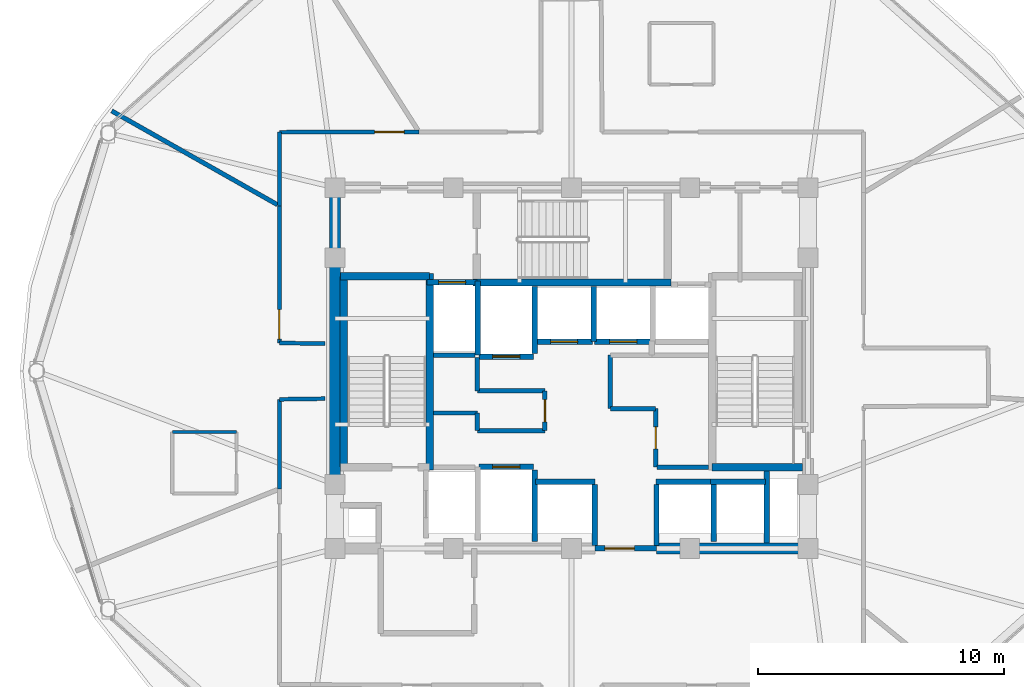
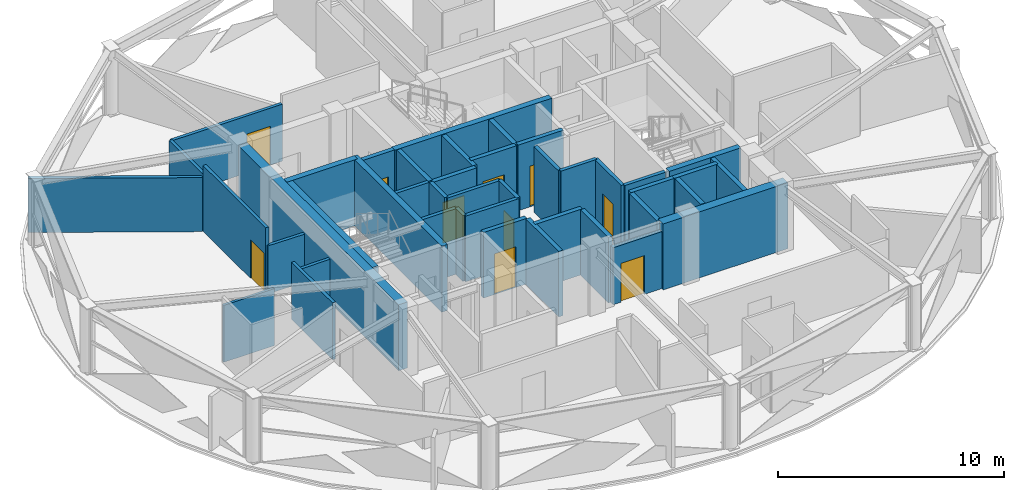
# One storey, part 22 of 28: 43 walls, 10 doors, 10 openings.
"""IFC4 building model written with IfcOpenShell, lengths in metres."""

from ifc_helpers import new_model, si_unit, direction, frame, frame_2d, origin, place, context, subcontext, project, spatial, rectangle, extrude, material, layer, layer_set, type_object, element, fill, save


model = new_model("IFC4")

# Units and contexts
model_context = context("Model", 3, precision=1e-05, world=origin(), true_north=direction((0.0, 1.0)))
body_context = subcontext(model_context, "Body", "Model", "MODEL_VIEW")
ifc_project = project(units=[si_unit("LENGTHUNIT", "METRE"), si_unit("AREAUNIT", "SQUARE_METRE"), si_unit("VOLUMEUNIT", "CUBIC_METRE"), si_unit("PLANEANGLEUNIT", "RADIAN"), si_unit("MASSUNIT", "GRAM", prefix="KILO")], contexts=[model_context])

# Site, building, storey
site_placement = place(None, origin())
site = spatial("IfcSite", under=ifc_project, at=site_placement, CompositionType="ELEMENT")
building_placement = place(site_placement, origin())
building = spatial("IfcBuilding", under=site, at=building_placement, Name="Vantalir Tower", CompositionType="ELEMENT")
storey_placement = place(building_placement, frame((0.0, 0.0, 246.14990234375)))
storey = spatial("IfcBuildingStorey", under=building, at=storey_placement, Name="L62", CompositionType="ELEMENT", Elevation=246.14990234375)

# Walls
ifc_material_1 = material(Name="Moisture-resistant en-suite partition", Category="gypsum")
ifc_layer_1 = layer(ifc_material_1, 0.125)
ifc_layer_set_1 = layer_set([ifc_layer_1], Name="Moisture-resistant en-suite partition")
wall_type_1 = type_object("IfcWallType", Name="WL-BATH-125", PredefinedType="PARTITIONING", material=ifc_layer_set_1)
wall_1_placement = place(storey_placement, frame((15.2900390625, 22.52587890625, 0.0), z_axis=(0.0, 0.0, 1.0), x_axis=(1.0, 0.0, 0.0)))
element("IfcWall", 1, at=wall_1_placement, inside=storey, type_object=wall_type_1, Name="L62 En-suite 04 North Wall", PredefinedType="PARTITIONING", context=body_context, shape_type="SweptSolid", body=[
    extrude(rectangle(XDim=2.599853515625, YDim=0.125, at=frame_2d((1.2998046875, 0.0))), origin(), (0.0, 0.0, 1.0), 3.0810546875),
])
ifc_material_2 = material(Name="Concrete C50/60", Category="concrete")
ifc_layer_2 = layer(ifc_material_2, 0.449951171875)
ifc_layer_set_2 = layer_set([ifc_layer_2], Name="Concrete C50/60")
wall_type_2 = type_object("IfcWallType", Name="WL-CORE-450", PredefinedType="SHEAR", material=ifc_layer_set_2)
wall_2_placement = place(storey_placement, frame((34.949951171875, 17.800048828125, 0.0), z_axis=(0.0, 0.0, 1.0), x_axis=(1.0, 0.0, 0.0)))
element("IfcWall", 2, at=wall_2_placement, inside=storey, type_object=wall_type_2, Name="L62 Core Shear Wall South-East", PredefinedType="SHEAR", context=body_context, shape_type="SweptSolid", body=[
    extrude(rectangle(XDim=6.375, YDim=0.449951171875, at=frame_2d((3.1875, 0.0))), origin(), (0.0, 0.0, 1.0), 3.570068359375),
])
wall_3_placement = place(storey_placement, frame((21.89990234375, 18.02490234375, 0.0), z_axis=(0.0, 0.0, 1.0), x_axis=(0.0, 1.0, 0.0)))
element("IfcWall", 3, at=wall_3_placement, inside=storey, type_object=wall_type_2, Name="L62 Core Shear Wall West", PredefinedType="SHEAR", context=body_context, shape_type="SweptSolid", body=[
    extrude(rectangle(XDim=14.2001953125, YDim=0.449951171875, at=frame_2d((7.10009765625, 0.0))), origin(), (0.0, 0.0, 1.0), 3.570068359375),
])
ifc_material_3 = material(Name="Fire-rated hotel corridor acoustic partition", Category="gypsum")
ifc_layer_3 = layer(ifc_material_3, 0.159912109375)
ifc_layer_set_3 = layer_set([ifc_layer_3], Name="Fire-rated hotel corridor acoustic partition")
wall_type_3 = type_object("IfcWallType", Name="WL-CORR-160", PredefinedType="PARTITIONING", material=ifc_layer_set_3)
wall_4_placement = place(storey_placement, frame((21.4951171875, 26.116943359375, 0.0), z_axis=(0.0, 0.0, 1.0), x_axis=(-0.999908537082, 0.013524698532, 0.0)))
element("IfcWall", 4, at=wall_4_placement, inside=storey, type_object=wall_type_3, Name="L62 Corridor Partition 01", PredefinedType="PARTITIONING", context=body_context, shape_type="SweptSolid", body=[
    extrude(rectangle(XDim=1.859375, YDim=0.159912109375, at=frame_2d((0.9296875, 0.0))), origin(), (0.0, 0.0, 1.0), 2.59521484375),
])

# Wall, opening, door
wall_5_placement = place(storey_placement, frame((19.635986328125, 26.14208984375, 0.0), z_axis=(0.0, 0.0, 1.0), x_axis=(0.000920648448, 0.999999576203, 0.0)))
wall_5 = element("IfcWall", 5, at=wall_5_placement, inside=storey, type_object=wall_type_3, Name="L62 Corridor Partition 02", PredefinedType="PARTITIONING", context=body_context, shape_type="SweptSolid", body=[
    extrude(rectangle(XDim=5.56884765625, YDim=0.159912109375, at=frame_2d((2.784423828125, 0.0))), origin(), (0.0, 0.0, 1.0), 3.550048828125),
])
opening_1_placement = place(wall_5_placement, frame((0.159912109375, 0.0, 0.0)))
opening_1 = element("IfcOpeningElement", 6, at=opening_1_placement, cuts=wall_5, Name="Opening D-STE", PredefinedType="OPENING", context=body_context, shape_type="SweptSolid", body=[
    extrude(rectangle(XDim=1.199951171875, YDim=2.10009765625, at=frame_2d((0.60009765625, 1.050048828125))), frame((0.0, 0.08984375, 0.0), z_axis=(0.0, -1.0, 0.0), x_axis=(1.0, 0.0, 0.0)), (0.0, 0.0, 1.0), 0.179931640625),
])
ifc_material_4 = material(Name="Solid-core teak veneer suite entrance door", Category="wood")
door_type_1 = type_object("IfcDoorType", Name="DR-SUITE-ENTRY-1200", OperationType="NOTDEFINED", PredefinedType="DOOR", material=ifc_material_4)
door_1_placement = place(opening_1_placement, origin())
door_1 = element("IfcDoor", 7, at=door_1_placement, inside=storey, type_object=door_type_1, Name="L62 Corner Panorama Hotel Suite 04 Door", OperationType="SINGLE_SWING_LEFT", OverallHeight=2.10009765625, OverallWidth=1.199951171875, PredefinedType="DOOR", context=body_context, shape_type="SweptSolid", body=[
    extrude(rectangle(XDim=1.199951171875, YDim=2.10009765625, at=frame_2d((0.60009765625, 1.050048828125))), frame((0.0, 0.02490234375, 0.0), z_axis=(0.0, -1.0, 0.0), x_axis=(1.0, 0.0, 0.0)), (0.0, 0.0, 1.0), 0.050048828125),
])
fill(opening_1, door_1)

# Wall
wall_6_placement = place(storey_placement, frame((19.64111328125, 31.7109375, 0.0), z_axis=(0.0, 0.0, 1.0), x_axis=(0.000980151453, 0.999999519651, 0.0)))
element("IfcWall", 8, at=wall_6_placement, inside=storey, type_object=wall_type_3, Name="L62 Corridor Partition 03", PredefinedType="PARTITIONING", context=body_context, shape_type="SweptSolid", body=[
    extrude(rectangle(XDim=2.989013671875, YDim=0.159912109375, at=frame_2d((1.49462890625, 0.0))), origin(), (0.0, 0.0, 1.0), 3.0810546875),
])

# Wall, opening, door
wall_7_placement = place(storey_placement, frame((19.64404296875, 34.699951171875, 0.0), z_axis=(0.0, 0.0, 1.0), x_axis=(0.999998989417, 0.001421677005, 0.0)))
wall_7 = element("IfcWall", 9, at=wall_7_placement, inside=storey, type_object=wall_type_3, Name="L62 Corridor Partition 04", PredefinedType="PARTITIONING", context=body_context, shape_type="SweptSolid", body=[
    extrude(rectangle(XDim=5.6669921875, YDim=0.159912109375, at=frame_2d((2.83349609375, 0.0))), origin(), (0.0, 0.0, 1.0), 3.0810546875),
])
opening_2_placement = place(wall_7_placement, frame((3.863037109375, 0.0, 0.0)))
opening_2 = element("IfcOpeningElement", 10, at=opening_2_placement, cuts=wall_7, Name="Opening D-STE", PredefinedType="OPENING", context=body_context, shape_type="SweptSolid", body=[
    extrude(rectangle(XDim=1.199951171875, YDim=2.10009765625, at=frame_2d((0.60009765625, 1.050048828125))), frame((0.0, 0.08984375, 0.0), z_axis=(0.0, -1.0, 0.0), x_axis=(1.0, 0.0, 0.0)), (0.0, 0.0, 1.0), 0.179931640625),
])
door_2_placement = place(opening_2_placement, origin())
door_2 = element("IfcDoor", 11, at=door_2_placement, inside=storey, type_object=door_type_1, Name="L62 Executive Sky Boardroom 03 Door", OperationType="SINGLE_SWING_RIGHT", OverallHeight=2.10009765625, OverallWidth=1.199951171875, PredefinedType="DOOR", context=body_context, shape_type="SweptSolid", body=[
    extrude(rectangle(XDim=1.199951171875, YDim=2.10009765625, at=frame_2d((0.60009765625, 1.050048828125))), frame((0.0, 0.02490234375, 0.0), z_axis=(0.0, -1.0, 0.0), x_axis=(1.0, 0.0, 0.0)), (0.0, 0.0, 1.0), 0.050048828125),
])
fill(opening_2, door_2)

# Walls
wall_8_placement = place(storey_placement, frame((19.636962890625, 20.217041015625, 0.0), z_axis=(0.0, 0.0, 1.0), x_axis=(-0.000537020799, 0.999999855804, 0.0)))
element("IfcWall", 12, at=wall_8_placement, inside=storey, type_object=wall_type_3, Name="L62 Corridor Partition 26", PredefinedType="PARTITIONING", context=body_context, shape_type="SweptSolid", body=[
    extrude(rectangle(XDim=3.636962890625, YDim=0.159912109375, at=frame_2d((1.818359375, 0.0))), origin(), (0.0, 0.0, 1.0), 3.0810546875),
])
wall_9_placement = place(storey_placement, frame((19.635009765625, 23.85400390625, 0.0), z_axis=(0.0, 0.0, 1.0), x_axis=(0.999886107392, 0.015092125259, 0.0)))
element("IfcWall", 13, at=wall_9_placement, inside=storey, type_object=wall_type_3, Name="L62 Corridor Partition 27", PredefinedType="PARTITIONING", context=body_context, shape_type="SweptSolid", body=[
    extrude(rectangle(XDim=1.8603515625, YDim=0.159912109375, at=frame_2d((0.93017578125, 0.0))), origin(), (0.0, 0.0, 1.0), 2.59521484375),
])
ifc_material_5 = material(Name="Concrete blockwork with fireboard lining", Category="masonry")
ifc_layer_4 = layer(ifc_material_5, 0.219970703125)
ifc_layer_set_4 = layer_set([ifc_layer_4], Name="Concrete blockwork with fireboard lining")
wall_type_4 = type_object("IfcWallType", Name="WL-FFL-220", PredefinedType="PARTITIONING", material=ifc_layer_set_4)
wall_10_placement = place(storey_placement, frame((30.0, 18.080078125, 0.0), z_axis=(0.0, 0.0, 1.0), x_axis=(0.0, 1.0, 0.0)))
element("IfcWall", 14, at=wall_10_placement, inside=storey, type_object=wall_type_4, Name="L62 Service Lift SV1 East Shaft Wall", PredefinedType="PARTITIONING", context=body_context, shape_type="SweptSolid", body=[
    extrude(rectangle(XDim=2.89990234375, YDim=0.219970703125, at=frame_2d((1.449951171875, 0.0))), origin(), (0.0, 0.0, 1.0), 3.545166015625),
])
for number, where, z_axis, x_axis, name in (
    (15, (32.449951171875, 17.919921875, 0.0), (0.0, 0.0, 1.0), (0.0, 1.0, 0.0), "L62 Shuttle Lift PL-X1 East Shaft Cheek"),
    (16, (34.949951171875, 17.919921875, 0.0), (0.0, 0.0, 1.0), (0.0, 1.0, 0.0), "L62 Shuttle Lift PL-X3 West Shaft Cheek"),
):
    element("IfcWall", number, at=place(storey_placement, frame(where, z_axis=z_axis, x_axis=x_axis)), inside=storey, type_object=wall_type_4, Name=name, PredefinedType="PARTITIONING", context=body_context, shape_type="SweptSolid", body=[
        extrude(rectangle(XDim=2.469970703125, YDim=0.219970703125, at=frame_2d((1.23486328125, 0.0))), origin(), (0.0, 0.0, 1.0), 3.545166015625),
    ])
wall_11_placement = place(storey_placement, frame((37.27490234375, 18.080078125, 0.0), z_axis=(0.0, 0.0, 1.0), x_axis=(0.0, 1.0, 0.0)))
element("IfcWall", 17, at=wall_11_placement, inside=storey, type_object=wall_type_4, Name="L62 Shuttle Lift PL-X2/X3 Shaft Divider", PredefinedType="PARTITIONING", context=body_context, shape_type="SweptSolid", body=[
    extrude(rectangle(XDim=2.309814453125, YDim=0.219970703125, at=frame_2d((1.15478515625, 0.0))), origin(), (0.0, 0.0, 1.0), 3.545166015625),
])
wall_12_placement = place(storey_placement, frame((30.0, 25.7099609375, 0.0), z_axis=(0.0, 0.0, 1.0), x_axis=(0.0, 1.0, 0.0)))
element("IfcWall", 18, at=wall_12_placement, inside=storey, type_object=wall_type_4, Name="L62 Service Lift SV2 East Shaft Wall", PredefinedType="PARTITIONING", context=body_context, shape_type="SweptSolid", body=[
    extrude(rectangle(XDim=2.72998046875, YDim=0.219970703125, at=frame_2d((1.364990234375, 0.0))), origin(), (0.0, 0.0, 1.0), 3.545166015625),
])
wall_13_placement = place(storey_placement, frame((32.39990234375, 26.199951171875, 0.0), z_axis=(0.0, 0.0, 1.0), x_axis=(0.0, 1.0, 0.0)))
element("IfcWall", 19, at=wall_13_placement, inside=storey, type_object=wall_type_4, Name="L62 High-Rise Lift PL-H1/H2 Shaft Divider", PredefinedType="PARTITIONING", context=body_context, shape_type="SweptSolid", body=[
    extrude(rectangle(XDim=2.239990234375, YDim=0.219970703125, at=frame_2d((1.1201171875, 0.0))), origin(), (0.0, 0.0, 1.0), 3.545166015625),
])

# Wall, opening, door
wall_14_placement = place(storey_placement, frame((32.449951171875, 17.800048828125, 0.0), z_axis=(0.0, 0.0, 1.0), x_axis=(1.0, 0.0, 0.0)))
wall_14 = element("IfcWall", 20, at=wall_14_placement, inside=storey, type_object=wall_type_4, Name="L62 Passenger Lift Lobby South Wall", PredefinedType="PARTITIONING", context=body_context, shape_type="SweptSolid", body=[
    extrude(rectangle(XDim=2.5, YDim=0.219970703125, at=frame_2d((1.25, 0.0))), origin(), (0.0, 0.0, 1.0), 3.0810546875),
])
opening_3_placement = place(wall_14_placement, frame((0.39990234375, 0.0, 0.0)))
opening_3 = element("IfcOpeningElement", 21, at=opening_3_placement, cuts=wall_14, Name="Opening D-STE", PredefinedType="OPENING", context=body_context, shape_type="SweptSolid", body=[
    extrude(rectangle(XDim=1.199951171875, YDim=2.10009765625, at=frame_2d((0.60009765625, 1.050048828125))), frame((0.0, 0.119873046875, 0.0), z_axis=(0.0, -1.0, 0.0), x_axis=(1.0, 0.0, 0.0)), (0.0, 0.0, 1.0), 0.239990234375),
])
door_3_placement = place(opening_3_placement, origin())
door_3 = element("IfcDoor", 22, at=door_3_placement, inside=storey, type_object=door_type_1, Name="L62 Passenger Lift Lobby Concourse Door", OperationType="SINGLE_SWING_LEFT", OverallHeight=2.10009765625, OverallWidth=1.199951171875, PredefinedType="DOOR", context=body_context, shape_type="SweptSolid", body=[
    extrude(rectangle(XDim=1.199951171875, YDim=2.10009765625, at=frame_2d((0.60009765625, 1.050048828125))), frame((0.0, 0.02490234375, 0.0), z_axis=(0.0, -1.0, 0.0), x_axis=(1.0, 0.0, 0.0)), (0.0, 0.0, 1.0), 0.050048828125),
])
fill(opening_3, door_3)

# Wall
wall_15_placement = place(storey_placement, frame((39.419921875, 18.02490234375, 0.0), z_axis=(0.0, 0.0, 1.0), x_axis=(0.0, 1.0, 0.0)))
element("IfcWall", 23, at=wall_15_placement, inside=storey, type_object=wall_type_4, Name="L62 East MEP Riser Wall W", PredefinedType="PARTITIONING", context=body_context, shape_type="SweptSolid", body=[
    extrude(rectangle(XDim=2.925048828125, YDim=0.219970703125, at=frame_2d((1.46240234375, 0.0))), origin(), (0.0, 0.0, 1.0), 3.550048828125),
])

# Wall, opening, door
wall_16_placement = place(storey_placement, frame((25.639892578125, 28.610107421875, 0.0), z_axis=(0.0, 0.0, 1.0), x_axis=(1.0, 0.0, 0.0)))
wall_16 = element("IfcWall", 24, at=wall_16_placement, inside=storey, type_object=wall_type_4, Name="L62 Lift FL2 Shaft Front Wall", PredefinedType="PARTITIONING", context=body_context, shape_type="SweptSolid", body=[
    extrude(rectangle(XDim=2.02001953125, YDim=0.219970703125, at=frame_2d((1.010009765625, 0.0))), origin(), (0.0, 0.0, 1.0), 3.550048828125),
])
opening_4_placement = place(wall_16_placement, frame((0.4599609375, 0.0, 0.0)))
opening_4 = element("IfcOpeningElement", 25, at=opening_4_placement, cuts=wall_16, Name="Opening LD-FL2", PredefinedType="OPENING", context=body_context, shape_type="SweptSolid", body=[
    extrude(rectangle(XDim=1.10009765625, YDim=2.199951171875, at=frame_2d((0.550048828125, 1.10009765625))), frame((0.0, 0.119873046875, 0.0), z_axis=(0.0, -1.0, 0.0), x_axis=(1.0, 0.0, 0.0)), (0.0, 0.0, 1.0), 0.239990234375),
])
ifc_material_6 = material(Name="Brushed stainless-steel sliding lift landing door", Category="steel")
door_type_2 = type_object("IfcDoorType", Name="DR-LIFT-LANDING-1100", OperationType="DOUBLE_DOOR_SLIDING", PredefinedType="DOOR", material=ifc_material_6)
door_4_placement = place(opening_4_placement, origin())
door_4 = element("IfcDoor", 26, at=door_4_placement, inside=storey, type_object=door_type_2, Name="L62 Lift Landing Door FL2", OperationType="DOUBLE_DOOR_SLIDING", OverallHeight=2.199951171875, OverallWidth=1.10009765625, PredefinedType="DOOR", context=body_context, shape_type="SweptSolid", body=[
    extrude(rectangle(XDim=1.10009765625, YDim=2.199951171875, at=frame_2d((0.550048828125, 1.10009765625))), frame((0.0, 0.02490234375, 0.0), z_axis=(0.0, -1.0, 0.0), x_axis=(1.0, 0.0, 0.0)), (0.0, 0.0, 1.0), 0.050048828125),
])
fill(opening_4, door_4)

wall_17_placement = place(storey_placement, frame((27.739990234375, 21.110107421875, 0.0), z_axis=(0.0, 0.0, 1.0), x_axis=(1.0, 0.0, 0.0)))
wall_17 = element("IfcWall", 27, at=wall_17_placement, inside=storey, type_object=wall_type_4, Name="L62 Lift SV1 Shaft Front Wall", PredefinedType="PARTITIONING", context=body_context, shape_type="SweptSolid", body=[
    extrude(rectangle(XDim=2.219970703125, YDim=0.219970703125, at=frame_2d((1.10986328125, 0.0))), origin(), (0.0, 0.0, 1.0), 3.550048828125),
])
opening_5_placement = place(wall_17_placement, frame((0.56005859375, 0.0, 0.0)))
opening_5 = element("IfcOpeningElement", 28, at=opening_5_placement, cuts=wall_17, Name="Opening LD-SV1", PredefinedType="OPENING", context=body_context, shape_type="SweptSolid", body=[
    extrude(rectangle(XDim=1.10009765625, YDim=2.199951171875, at=frame_2d((0.550048828125, 1.10009765625))), frame((0.0, 0.119873046875, 0.0), z_axis=(0.0, -1.0, 0.0), x_axis=(1.0, 0.0, 0.0)), (0.0, 0.0, 1.0), 0.239990234375),
])
door_5_placement = place(opening_5_placement, origin())
door_5 = element("IfcDoor", 29, at=door_5_placement, inside=storey, type_object=door_type_2, Name="L62 Lift Landing Door SV1", OperationType="DOUBLE_DOOR_SLIDING", OverallHeight=2.199951171875, OverallWidth=1.10009765625, PredefinedType="DOOR", context=body_context, shape_type="SweptSolid", body=[
    extrude(rectangle(XDim=1.10009765625, YDim=2.199951171875, at=frame_2d((0.550048828125, 1.10009765625))), frame((0.0, 0.02490234375, 0.0), z_axis=(0.0, -1.0, 0.0), x_axis=(1.0, 0.0, 0.0)), (0.0, 0.0, 1.0), 0.050048828125),
])
fill(opening_5, door_5)

wall_18_placement = place(storey_placement, frame((27.739990234375, 25.590087890625, 0.0), z_axis=(0.0, 0.0, 1.0), x_axis=(1.0, 0.0, 0.0)))
wall_18 = element("IfcWall", 30, at=wall_18_placement, inside=storey, type_object=wall_type_4, Name="L62 Lift SV2 Shaft Front Wall", PredefinedType="PARTITIONING", context=body_context, shape_type="SweptSolid", body=[
    extrude(rectangle(XDim=2.219970703125, YDim=0.219970703125, at=frame_2d((1.10986328125, 0.0))), origin(), (0.0, 0.0, 1.0), 3.550048828125),
])
opening_6_placement = place(wall_18_placement, frame((0.56005859375, 0.0, 0.0)))
opening_6 = element("IfcOpeningElement", 31, at=opening_6_placement, cuts=wall_18, Name="Opening LD-SV2", PredefinedType="OPENING", context=body_context, shape_type="SweptSolid", body=[
    extrude(rectangle(XDim=1.10009765625, YDim=2.199951171875, at=frame_2d((0.550048828125, 1.10009765625))), frame((0.0, 0.119873046875, 0.0), z_axis=(0.0, -1.0, 0.0), x_axis=(1.0, 0.0, 0.0)), (0.0, 0.0, 1.0), 0.239990234375),
])
door_6_placement = place(opening_6_placement, frame((1.10009765625, 0.0, 0.0), z_axis=(0.0, 0.0, 1.0), x_axis=(-1.0, 0.0, 0.0)))
door_6 = element("IfcDoor", 32, at=door_6_placement, inside=storey, type_object=door_type_2, Name="L62 Lift Landing Door SV2", OperationType="DOUBLE_DOOR_SLIDING", OverallHeight=2.199951171875, OverallWidth=1.10009765625, PredefinedType="DOOR", context=body_context, shape_type="SweptSolid", body=[
    extrude(rectangle(XDim=1.10009765625, YDim=2.199951171875, at=frame_2d((0.550048828125, 1.10009765625))), frame((0.0, 0.02490234375, 0.0), z_axis=(0.0, -1.0, 0.0), x_axis=(1.0, 0.0, 0.0)), (0.0, 0.0, 1.0), 0.050048828125),
])
fill(opening_6, door_6)

# Walls
wall_19_placement = place(storey_placement, frame((30.0400390625, 20.510009765625, 0.0), z_axis=(0.0, 0.0, 1.0), x_axis=(1.0, 0.0, 0.0)))
element("IfcWall", 33, at=wall_19_placement, inside=storey, type_object=wall_type_4, Name="L62 Lift PL-X1 Shaft Front Wall", PredefinedType="PARTITIONING", context=body_context, shape_type="SweptSolid", body=[
    extrude(rectangle(XDim=2.419921875, YDim=0.219970703125, at=frame_2d((1.2099609375, 0.0))), origin(), (0.0, 0.0, 1.0), 3.550048828125),
])
for number, where, z_axis, x_axis, name in (
    (34, (37.139892578125, 20.510009765625, 0.0), (0.0, 0.0, 1.0), (1.0, 0.0, 0.0), "L62 Lift PL-X2 Shaft Rear Wall"),
    (35, (34.93994140625, 20.510009765625, 0.0), (0.0, 0.0, 1.0), (1.0, 0.0, 0.0), "L62 Lift PL-X3 Shaft Front Wall"),
):
    element("IfcWall", number, at=place(storey_placement, frame(where, z_axis=z_axis, x_axis=x_axis)), inside=storey, type_object=wall_type_4, Name=name, PredefinedType="PARTITIONING", context=body_context, shape_type="SweptSolid", body=[
        extrude(rectangle(XDim=2.239990234375, YDim=0.219970703125, at=frame_2d((1.1201171875, 0.0))), origin(), (0.0, 0.0, 1.0), 3.550048828125),
    ])

# Wall, opening, door
wall_20_placement = place(storey_placement, frame((30.0400390625, 26.18994140625, 0.0), z_axis=(0.0, 0.0, 1.0), x_axis=(1.0, 0.0, 0.0)))
wall_20 = element("IfcWall", 36, at=wall_20_placement, inside=storey, type_object=wall_type_4, Name="L62 Lift PL-H1 Shaft Front Wall", PredefinedType="PARTITIONING", context=body_context, shape_type="SweptSolid", body=[
    extrude(rectangle(XDim=2.320068359375, YDim=0.219970703125, at=frame_2d((1.16015625, 0.0))), origin(), (0.0, 0.0, 1.0), 3.550048828125),
])
opening_7_placement = place(wall_20_placement, frame((0.610107421875, 0.0, 0.0)))
opening_7 = element("IfcOpeningElement", 37, at=opening_7_placement, cuts=wall_20, Name="Opening LD-PL-H1", PredefinedType="OPENING", context=body_context, shape_type="SweptSolid", body=[
    extrude(rectangle(XDim=1.10009765625, YDim=2.199951171875, at=frame_2d((0.550048828125, 1.10009765625))), frame((0.0, 0.119873046875, 0.0), z_axis=(0.0, -1.0, 0.0), x_axis=(1.0, 0.0, 0.0)), (0.0, 0.0, 1.0), 0.239990234375),
])
door_7_placement = place(opening_7_placement, frame((1.10009765625, 0.0, 0.0), z_axis=(0.0, 0.0, 1.0), x_axis=(-1.0, 0.0, 0.0)))
door_7 = element("IfcDoor", 38, at=door_7_placement, inside=storey, type_object=door_type_2, Name="L62 Lift Landing Door PL-H1", OperationType="DOUBLE_DOOR_SLIDING", OverallHeight=2.199951171875, OverallWidth=1.10009765625, PredefinedType="DOOR", context=body_context, shape_type="SweptSolid", body=[
    extrude(rectangle(XDim=1.10009765625, YDim=2.199951171875, at=frame_2d((0.550048828125, 1.10009765625))), frame((0.0, 0.02490234375, 0.0), z_axis=(0.0, -1.0, 0.0), x_axis=(1.0, 0.0, 0.0)), (0.0, 0.0, 1.0), 0.050048828125),
])
fill(opening_7, door_7)

wall_21_placement = place(storey_placement, frame((32.43994140625, 26.18994140625, 0.0), z_axis=(0.0, 0.0, 1.0), x_axis=(1.0, 0.0, 0.0)))
wall_21 = element("IfcWall", 39, at=wall_21_placement, inside=storey, type_object=wall_type_4, Name="L62 Lift PL-H2 Shaft Front Wall", PredefinedType="PARTITIONING", context=body_context, shape_type="SweptSolid", body=[
    extrude(rectangle(XDim=2.320068359375, YDim=0.219970703125, at=frame_2d((1.16015625, 0.0))), origin(), (0.0, 0.0, 1.0), 3.550048828125),
])
opening_8_placement = place(wall_21_placement, frame((0.610107421875, 0.0, 0.0)))
opening_8 = element("IfcOpeningElement", 40, at=opening_8_placement, cuts=wall_21, Name="Opening LD-PL-H2", PredefinedType="OPENING", context=body_context, shape_type="SweptSolid", body=[
    extrude(rectangle(XDim=1.10009765625, YDim=2.199951171875, at=frame_2d((0.550048828125, 1.10009765625))), frame((0.0, 0.119873046875, 0.0), z_axis=(0.0, -1.0, 0.0), x_axis=(1.0, 0.0, 0.0)), (0.0, 0.0, 1.0), 0.239990234375),
])
door_8_placement = place(opening_8_placement, frame((1.10009765625, 0.0, 0.0), z_axis=(0.0, 0.0, 1.0), x_axis=(-1.0, 0.0, 0.0)))
door_8 = element("IfcDoor", 41, at=door_8_placement, inside=storey, type_object=door_type_2, Name="L62 Lift Landing Door PL-H2", OperationType="DOUBLE_DOOR_SLIDING", OverallHeight=2.199951171875, OverallWidth=1.10009765625, PredefinedType="DOOR", context=body_context, shape_type="SweptSolid", body=[
    extrude(rectangle(XDim=1.10009765625, YDim=2.199951171875, at=frame_2d((0.550048828125, 1.10009765625))), frame((0.0, 0.02490234375, 0.0), z_axis=(0.0, -1.0, 0.0), x_axis=(1.0, 0.0, 0.0)), (0.0, 0.0, 1.0), 0.050048828125),
])
fill(opening_8, door_8)

# Walls
wall_22_placement = place(storey_placement, frame((27.699951171875, 25.64990234375, 0.0), z_axis=(0.0, 0.0, 1.0), x_axis=(0.0, 1.0, 0.0)))
element("IfcWall", 42, at=wall_22_placement, inside=storey, type_object=wall_type_4, Name="L62 Fire Lift FL2 Dividing Wall", PredefinedType="PARTITIONING", context=body_context, shape_type="SweptSolid", body=[
    extrude(rectangle(XDim=3.0, YDim=0.219970703125, at=frame_2d((1.5, 0.0))), origin(), (0.0, 0.0, 1.0), 3.550048828125),
])
ifc_material_7 = material(Name="Twin-stud acoustic fire-rated gypsum partition", Category="gypsum")
ifc_layer_5 = layer(ifc_material_7, 0.179931640625)
ifc_layer_set_5 = layer_set([ifc_layer_5], Name="Twin-stud acoustic fire-rated gypsum partition")
wall_type_5 = type_object("IfcWallType", Name="WL-GUEST-180", PredefinedType="PARTITIONING", material=ifc_layer_set_5)
wall_23_placement = place(storey_placement, frame((25.889892578125, 25.64990234375, 0.0), z_axis=(0.0, 0.0, 1.0), x_axis=(1.0, 0.0, 0.0)))
element("IfcWall", 43, at=wall_23_placement, inside=storey, type_object=wall_type_5, Name="L62 Freed West Core North Wall", PredefinedType="PARTITIONING", context=body_context, shape_type="SweptSolid", body=[
    extrude(rectangle(XDim=1.7001953125, YDim=0.179931640625, at=frame_2d((0.85009765625, 0.0))), origin(), (0.0, 0.0, 1.0), 3.550048828125),
])
wall_24_placement = place(storey_placement, frame((25.889892578125, 23.300048828125, 0.0), z_axis=(0.0, 0.0, 1.0), x_axis=(1.0, 0.0, 0.0)))
element("IfcWall", 44, at=wall_24_placement, inside=storey, type_object=wall_type_5, Name="L62 West Linen South-West Wall", PredefinedType="PARTITIONING", context=body_context, shape_type="SweptSolid", body=[
    extrude(rectangle(XDim=1.7900390625, YDim=0.179931640625, at=frame_2d((0.89501953125, 0.0))), origin(), (0.0, 0.0, 1.0), 3.550048828125),
])
wall_25_placement = place(storey_placement, frame((27.679931640625, 22.580078125, 0.0), z_axis=(0.0, 0.0, 1.0), x_axis=(0.0, 1.0, 0.0)))
element("IfcWall", 45, at=wall_25_placement, inside=storey, type_object=wall_type_5, Name="L62 West Linen Step Wall", PredefinedType="PARTITIONING", context=body_context, shape_type="SweptSolid", body=[
    extrude(rectangle(XDim=0.719970703125, YDim=0.179931640625, at=frame_2d((0.35986328125, 0.0))), origin(), (0.0, 0.0, 1.0), 3.550048828125),
])
wall_26_placement = place(storey_placement, frame((27.679931640625, 22.580078125, 0.0), z_axis=(0.0, 0.0, 1.0), x_axis=(1.0, 0.0, 0.0)))
element("IfcWall", 46, at=wall_26_placement, inside=storey, type_object=wall_type_5, Name="L62 West Linen Alcove South Wall", PredefinedType="PARTITIONING", context=body_context, shape_type="SweptSolid", body=[
    extrude(rectangle(XDim=2.739990234375, YDim=0.179931640625, at=frame_2d((1.3701171875, 0.0))), origin(), (0.0, 0.0, 1.0), 3.550048828125),
])

# Wall, opening, door
wall_27_placement = place(storey_placement, frame((30.419921875, 22.580078125, 0.0), z_axis=(0.0, 0.0, 1.0), x_axis=(0.0, 1.0, 0.0)))
wall_27 = element("IfcWall", 47, at=wall_27_placement, inside=storey, type_object=wall_type_5, Name="L62 West Linen Alcove East Wall", PredefinedType="PARTITIONING", context=body_context, shape_type="SweptSolid", body=[
    extrude(rectangle(XDim=1.619873046875, YDim=0.179931640625, at=frame_2d((0.81005859375, 0.0))), origin(), (0.0, 0.0, 1.0), 3.550048828125),
])
opening_9_placement = place(wall_27_placement, frame((0.360107421875, 0.0, 0.0)))
opening_9 = element("IfcOpeningElement", 48, at=opening_9_placement, cuts=wall_27, Name="Opening D-CR", PredefinedType="OPENING", context=body_context, shape_type="SweptSolid", body=[
    extrude(rectangle(XDim=0.89990234375, YDim=2.10009765625, at=frame_2d((0.449951171875, 1.050048828125))), frame((0.0, 0.099853515625, 0.0), z_axis=(0.0, -1.0, 0.0), x_axis=(1.0, 0.0, 0.0)), (0.0, 0.0, 1.0), 0.199951171875),
])
ifc_material_8 = material(Name="Fire-rated steel core service door", Category="steel")
door_type_3 = type_object("IfcDoorType", Name="DR-CORE-SERV-900", OperationType="NOTDEFINED", PredefinedType="DOOR", material=ifc_material_8)
door_9_placement = place(opening_9_placement, origin())
door_9 = element("IfcDoor", 49, at=door_9_placement, inside=storey, type_object=door_type_3, Name="L62 Core Linen Store Door", OperationType="SINGLE_SWING_LEFT", OverallHeight=2.10009765625, OverallWidth=0.89990234375, PredefinedType="DOOR", context=body_context, shape_type="SweptSolid", body=[
    extrude(rectangle(XDim=0.89990234375, YDim=2.10009765625, at=frame_2d((0.449951171875, 1.050048828125))), frame((0.0, 0.02490234375, 0.0), z_axis=(0.0, -1.0, 0.0), x_axis=(1.0, 0.0, 0.0)), (0.0, 0.0, 1.0), 0.050048828125),
])
fill(opening_9, door_9)

# Walls
wall_28_placement = place(storey_placement, frame((27.679931640625, 24.199951171875, 0.0), z_axis=(0.0, 0.0, 1.0), x_axis=(1.0, 0.0, 0.0)))
element("IfcWall", 50, at=wall_28_placement, inside=storey, type_object=wall_type_5, Name="L62 West Linen Alcove North Wall", PredefinedType="PARTITIONING", context=body_context, shape_type="SweptSolid", body=[
    extrude(rectangle(XDim=2.739990234375, YDim=0.179931640625, at=frame_2d((1.3701171875, 0.0))), origin(), (0.0, 0.0, 1.0), 3.550048828125),
])
wall_29_placement = place(storey_placement, frame((27.679931640625, 24.199951171875, 0.0), z_axis=(0.0, 0.0, 1.0), x_axis=(0.0, 1.0, 0.0)))
element("IfcWall", 51, at=wall_29_placement, inside=storey, type_object=wall_type_5, Name="L62 West Linen Upper East Wall", PredefinedType="PARTITIONING", context=body_context, shape_type="SweptSolid", body=[
    extrude(rectangle(XDim=1.360107421875, YDim=0.179931640625, at=frame_2d((0.68017578125, 0.0))), origin(), (0.0, 0.0, 1.0), 3.550048828125),
])
wall_30_placement = place(storey_placement, frame((34.97998046875, 21.10009765625, 0.0), z_axis=(0.0, 0.0, 1.0), x_axis=(1.0, 0.0, 0.0)))
element("IfcWall", 52, at=wall_30_placement, inside=storey, type_object=wall_type_5, Name="L62 Freed East Core South Wall", PredefinedType="PARTITIONING", context=body_context, shape_type="SweptSolid", body=[
    extrude(rectangle(XDim=2.080078125, YDim=0.179931640625, at=frame_2d((1.0400390625, 0.0))), origin(), (0.0, 0.0, 1.0), 3.550048828125),
])
wall_31_placement = place(storey_placement, frame((33.080078125, 23.47998046875, 0.0), z_axis=(0.0, 0.0, 1.0), x_axis=(0.0, 1.0, 0.0)))
element("IfcWall", 53, at=wall_31_placement, inside=storey, type_object=wall_type_5, Name="L62 East Core Alcove West Wall", PredefinedType="PARTITIONING", context=body_context, shape_type="SweptSolid", body=[
    extrude(rectangle(XDim=2.169921875, YDim=0.179931640625, at=frame_2d((1.0849609375, 0.0))), origin(), (0.0, 0.0, 1.0), 3.550048828125),
])
wall_32_placement = place(storey_placement, frame((33.080078125, 23.47998046875, 0.0), z_axis=(0.0, 0.0, 1.0), x_axis=(1.0, 0.0, 0.0)))
element("IfcWall", 54, at=wall_32_placement, inside=storey, type_object=wall_type_5, Name="L62 East Core Alcove South Wall", PredefinedType="PARTITIONING", context=body_context, shape_type="SweptSolid", body=[
    extrude(rectangle(XDim=1.83984375, YDim=0.179931640625, at=frame_2d((0.919921875, 0.0))), origin(), (0.0, 0.0, 1.0), 3.550048828125),
])

# Wall, opening, door
wall_33_placement = place(storey_placement, frame((34.919921875, 21.10009765625, 0.0), z_axis=(0.0, 0.0, 1.0), x_axis=(0.0, 1.0, 0.0)))
wall_33 = element("IfcWall", 55, at=wall_33_placement, inside=storey, type_object=wall_type_5, Name="L62 East Core Lower West Wall", PredefinedType="PARTITIONING", context=body_context, shape_type="SweptSolid", body=[
    extrude(rectangle(XDim=2.3798828125, YDim=0.179931640625, at=frame_2d((1.18994140625, 0.0))), origin(), (0.0, 0.0, 1.0), 3.550048828125),
])
opening_10_placement = place(wall_33_placement, frame((0.739990234375, 0.0, 0.0)))
opening_10 = element("IfcOpeningElement", 56, at=opening_10_placement, cuts=wall_33, Name="Opening D-CR", PredefinedType="OPENING", context=body_context, shape_type="SweptSolid", body=[
    extrude(rectangle(XDim=0.89990234375, YDim=2.10009765625, at=frame_2d((0.449951171875, 1.050048828125))), frame((0.0, 0.099853515625, 0.0), z_axis=(0.0, -1.0, 0.0), x_axis=(1.0, 0.0, 0.0)), (0.0, 0.0, 1.0), 0.199951171875),
])
door_10_placement = place(opening_10_placement, frame((0.89990234375, 0.0, 0.0), z_axis=(0.0, 0.0, 1.0), x_axis=(-1.0, 0.0, 0.0)))
door_10 = element("IfcDoor", 57, at=door_10_placement, inside=storey, type_object=door_type_3, Name="L62 Core Telecoms Door", OperationType="SINGLE_SWING_LEFT", OverallHeight=2.10009765625, OverallWidth=0.89990234375, PredefinedType="DOOR", context=body_context, shape_type="SweptSolid", body=[
    extrude(rectangle(XDim=0.89990234375, YDim=2.10009765625, at=frame_2d((0.449951171875, 1.050048828125))), frame((0.0, 0.02490234375, 0.0), z_axis=(0.0, -1.0, 0.0), x_axis=(1.0, 0.0, 0.0)), (0.0, 0.0, 1.0), 0.050048828125),
])
fill(opening_10, door_10)

# Walls
wall_34_placement = place(storey_placement, frame((19.56005859375, 31.757080078125, 0.0), z_axis=(0.0, 0.0, 1.0), x_axis=(-0.870312783113, 0.492499400559, 0.0)))
element("IfcWall", 58, at=wall_34_placement, inside=storey, type_object=wall_type_5, Name="L62 Radial Suite Partition 04", PredefinedType="PARTITIONING", context=body_context, shape_type="SweptSolid", body=[
    extrude(rectangle(XDim=7.731689453125, YDim=0.179931640625, at=frame_2d((3.86572265625, 0.0))), origin(), (0.0, 0.0, 1.0), 2.925048828125),
])
ifc_layer_6 = layer(ifc_material_2, 0.300048828125)
ifc_layer_set_6 = layer_set([ifc_layer_6], Name="Concrete C50/60")
wall_type_6 = type_object("IfcWallType", Name="WL-STAIR-300", PredefinedType="SHEAR", material=ifc_layer_set_6)
wall_35_placement = place(storey_placement, frame((22.125, 28.85009765625, 0.0), z_axis=(0.0, 0.0, 1.0), x_axis=(1.0, 0.0, 0.0)))
element("IfcWall", 59, at=wall_35_placement, inside=storey, type_object=wall_type_6, Name="L62 Stair ST1 North Wall", PredefinedType="SHEAR", context=body_context, shape_type="SweptSolid", body=[
    extrude(rectangle(XDim=3.614990234375, YDim=0.300048828125, at=frame_2d((1.8076171875, 0.0))), origin(), (0.0, 0.0, 1.0), 3.570068359375),
])
wall_36_placement = place(storey_placement, frame((25.739990234375, 20.97998046875, 0.0), z_axis=(0.0, 0.0, 1.0), x_axis=(0.0, 1.0, 0.0)))
element("IfcWall", 60, at=wall_36_placement, inside=storey, type_object=wall_type_6, Name="L62 Stair ST1 East Wall", PredefinedType="SHEAR", context=body_context, shape_type="SweptSolid", body=[
    extrude(rectangle(XDim=7.989990234375, YDim=0.300048828125, at=frame_2d((3.9951171875, 0.0))), origin(), (0.0, 0.0, 1.0), 3.570068359375),
])
wall_37_placement = place(storey_placement, frame((22.260009765625, 21.10009765625, 0.0), z_axis=(0.0, 0.0, 1.0), x_axis=(0.0, 1.0, 0.0)))
element("IfcWall", 61, at=wall_37_placement, inside=storey, type_object=wall_type_6, Name="L62 Stair ST1 West Liner Wall", PredefinedType="SHEAR", context=body_context, shape_type="SweptSolid", body=[
    extrude(rectangle(XDim=7.75, YDim=0.300048828125, at=frame_2d((3.875, 0.0))), origin(), (0.0, 0.0, 1.0), 3.570068359375),
])
wall_38_placement = place(storey_placement, frame((37.2099609375, 21.10009765625, 0.0), z_axis=(0.0, 0.0, 1.0), x_axis=(1.0, 0.0, 0.0)))
element("IfcWall", 62, at=wall_38_placement, inside=storey, type_object=wall_type_6, Name="L62 Stair ST2 South Wall", PredefinedType="SHEAR", context=body_context, shape_type="SweptSolid", body=[
    extrude(rectangle(XDim=3.6650390625, YDim=0.300048828125, at=frame_2d((1.83251953125, 0.0))), origin(), (0.0, 0.0, 1.0), 3.570068359375),
])
wall_39_placement = place(storey_placement, frame((27.510009765625, 28.60009765625, 0.0), z_axis=(0.0, 0.0, 1.0), x_axis=(1.0, 0.0, 0.0)))
element("IfcWall", 63, at=wall_39_placement, inside=storey, type_object=wall_type_6, Name="L62 Stair ST3 South Wall", PredefinedType="SHEAR", context=body_context, shape_type="SweptSolid", body=[
    extrude(rectangle(XDim=8.030029296875, YDim=0.300048828125, at=frame_2d((4.01513671875, 0.0))), origin(), (0.0, 0.0, 1.0), 3.570068359375),
])

save(model, "model.ifc")
